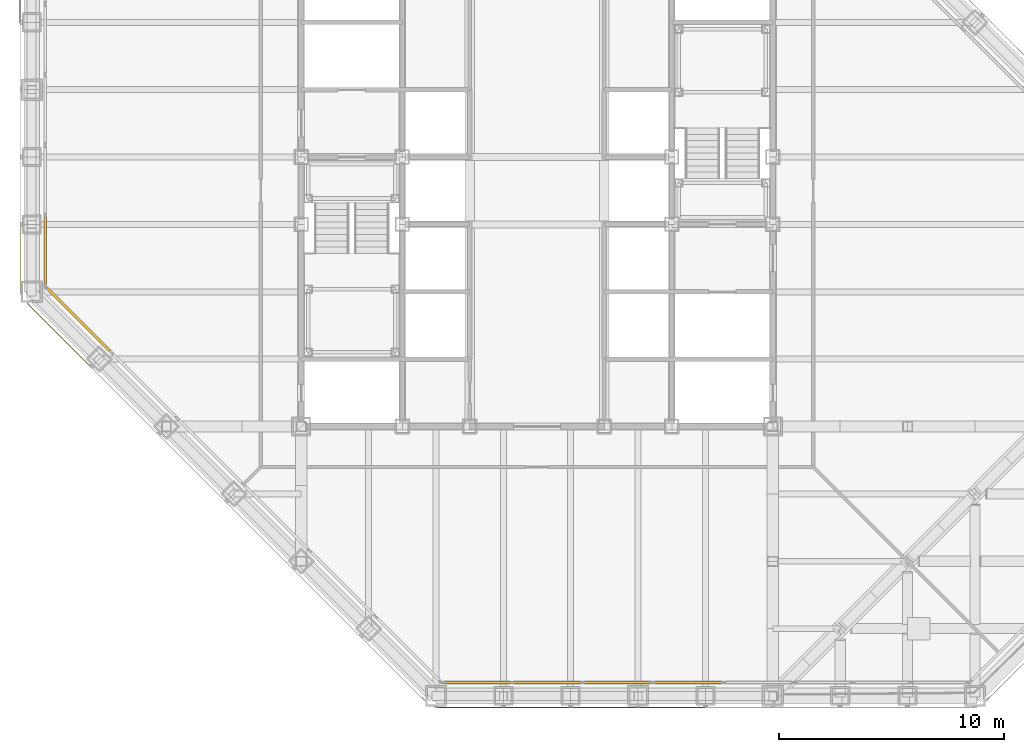
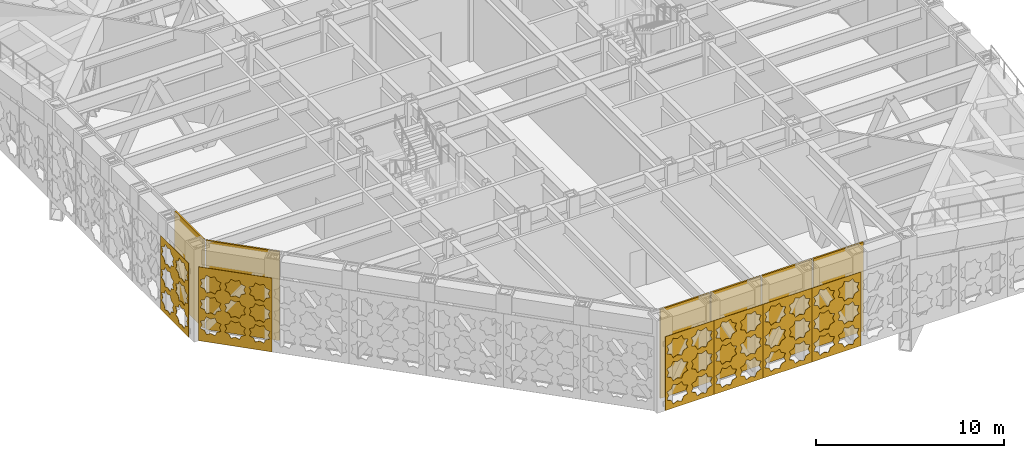
# One storey, part 22 of 28: 6 coverings, 6 shading devices, 3 elements without a shape of their own.
"""IFC4 building model written with IfcOpenShell, lengths in metres."""

from ifc_helpers import new_model, si_unit, direction, frame, origin, origin_2d, place, context, subcontext, project, spatial, polyline, rectangle, outline, extrude, material, layer, layer_set, type_object, element, aggregate, save


model = new_model("IFC4")

# Units and contexts
model_context = context("Model", 3, precision=1e-05, world=origin(), true_north=direction((0.0, 1.0)))
body_context = subcontext(model_context, "Body", "Model", "MODEL_VIEW")
ifc_project = project(units=[si_unit("LENGTHUNIT", "METRE"), si_unit("AREAUNIT", "SQUARE_METRE"), si_unit("VOLUMEUNIT", "CUBIC_METRE"), si_unit("PLANEANGLEUNIT", "RADIAN"), si_unit("MASSUNIT", "GRAM", prefix="KILO")], contexts=[model_context])

# Site, building, storey
site_placement = place(None, origin())
site = spatial("IfcSite", under=ifc_project, at=site_placement, CompositionType="ELEMENT")
building_placement = place(site_placement, origin())
building = spatial("IfcBuilding", under=site, at=building_placement, Name="Chuquiago Exchange Tower", CompositionType="ELEMENT")
storey_placement = place(building_placement, frame((0.0, 0.0, 174.0)))
storey = spatial("IfcBuildingStorey", under=building, at=storey_placement, Name="L38", CompositionType="ELEMENT", Elevation=174.0)

# Curtain wall, shading devices
ifc_material_1 = material(Name="Aluminium curtain wall system", Category="aluminium")
ifc_layer_1 = layer(ifc_material_1, 0.199951171875)
ifc_layer_set_1 = layer_set([ifc_layer_1], Name="CW6 plant floor louvre wall")
curtain_wall_type = type_object("IfcCurtainWallType", Name="CW6 plant floor louvre wall", PredefinedType="NOTDEFINED", material=ifc_layer_set_1)
curtain_wall_1_placement = place(storey_placement, origin())
curtain_wall_1 = element("IfcCurtainWall", 1, at=curtain_wall_1_placement, inside=storey, type_object=curtain_wall_type, Name="CW6 curtain wall L38", PredefinedType="NOTDEFINED")
ifc_material_2 = material(Name="Aluminium louvre", Category="aluminium")
ifc_layer_2 = layer(ifc_material_2, 0.10009765625)
ifc_layer_set_2 = layer_set([ifc_layer_2], Name="CW6-P louvre panel 100")
shading_device_type = type_object("IfcShadingDeviceType", Name="CW6-P louvre panel 100", PredefinedType="USERDEFINED", material=ifc_layer_set_2)
shading_device_1_placement = place(storey_placement, frame((19.837646484375, 0.60009765625, 0.0751953125), z_axis=(0.0, 0.0, 1.0), x_axis=(1.0, 0.0, 0.0)))
shading_device_1 = element("IfcShadingDevice", 2, at=shading_device_1_placement, type_object=shading_device_type, Name="CW6 panel 1.1", ObjectType="LOUVER", PredefinedType="USERDEFINED", context=body_context, shape_type="SweptSolid", body=[
    extrude(rectangle(XDim=3.028564453125, YDim=0.10009765625, at=origin_2d()), origin(), (0.0, 0.0, 1.0), 5.764892578125),
])
shading_device_2_placement = place(storey_placement, frame((22.9599609375, 0.60009765625, 0.0751953125), z_axis=(0.0, 0.0, 1.0), x_axis=(1.0, 0.0, 0.0)))
shading_device_2 = element("IfcShadingDevice", 3, at=shading_device_2_placement, type_object=shading_device_type, Name="CW6 panel 2.1", ObjectType="LOUVER", PredefinedType="USERDEFINED", context=body_context, shape_type="SweptSolid", body=[
    extrude(rectangle(XDim=3.06591796875, YDim=0.10009765625, at=origin_2d()), origin(), (0.0, 0.0, 1.0), 5.764892578125),
])
shading_device_3_placement = place(storey_placement, frame((26.10107421875, 0.60009765625, 0.0751953125), z_axis=(0.0, 0.0, 1.0), x_axis=(1.0, 0.0, 0.0)))
shading_device_3 = element("IfcShadingDevice", 4, at=shading_device_3_placement, type_object=shading_device_type, Name="CW6 panel 3.1", ObjectType="LOUVER", PredefinedType="USERDEFINED", context=body_context, shape_type="SweptSolid", body=[
    extrude(rectangle(XDim=3.06591796875, YDim=0.10009765625, at=origin_2d()), origin(), (0.0, 0.0, 1.0), 5.764892578125),
])
shading_device_4_placement = place(storey_placement, frame((29.241943359375, 0.60009765625, 0.0751953125), z_axis=(0.0, 0.0, 1.0), x_axis=(1.0, 0.0, 0.0)))
shading_device_4 = element("IfcShadingDevice", 5, at=shading_device_4_placement, type_object=shading_device_type, Name="CW6 panel 4.1", ObjectType="LOUVER", PredefinedType="USERDEFINED", context=body_context, shape_type="SweptSolid", body=[
    extrude(rectangle(XDim=3.06591796875, YDim=0.10009765625, at=origin_2d()), origin(), (0.0, 0.0, 1.0), 5.764892578125),
])
aggregate(curtain_wall_1, [shading_device_1, shading_device_2, shading_device_3, shading_device_4])

# Curtain wall, shading device
curtain_wall_2_placement = place(storey_placement, origin())
curtain_wall_2 = element("IfcCurtainWall", 6, at=curtain_wall_2_placement, inside=storey, type_object=curtain_wall_type, Name="CW6 curtain wall L38", PredefinedType="NOTDEFINED")
shading_device_5_placement = place(storey_placement, frame((0.60009765625, 19.837646484375, 0.0751953125), z_axis=(0.0, 0.0, 1.0), x_axis=(0.0, -1.0, 0.0)))
shading_device_5 = element("IfcShadingDevice", 7, at=shading_device_5_placement, type_object=shading_device_type, Name="CW6 panel 5.1", ObjectType="LOUVER", PredefinedType="USERDEFINED", context=body_context, shape_type="SweptSolid", body=[
    extrude(rectangle(XDim=3.028564453125, YDim=0.10009765625, at=origin_2d()), origin(), (0.0, 0.0, 1.0), 5.764892578125),
])
aggregate(curtain_wall_2, [shading_device_5])

curtain_wall_3_placement = place(storey_placement, origin())
curtain_wall_3 = element("IfcCurtainWall", 8, at=curtain_wall_3_placement, inside=storey, type_object=curtain_wall_type, Name="CW6 curtain wall L38", PredefinedType="NOTDEFINED")
shading_device_6_placement = place(storey_placement, frame((2.083984375, 16.7646484375, 0.0751953125), z_axis=(0.0, 0.0, 1.0), x_axis=(0.707106781187, -0.707106781187, 0.0)))
shading_device_6 = element("IfcShadingDevice", 9, at=shading_device_6_placement, type_object=shading_device_type, Name="CW6 panel 1.1", ObjectType="LOUVER", PredefinedType="USERDEFINED", context=body_context, shape_type="SweptSolid", body=[
    extrude(rectangle(XDim=4.04736328125, YDim=0.10009765625, at=origin_2d()), origin(), (0.0, 0.0, 1.0), 5.764892578125),
])
aggregate(curtain_wall_3, [shading_device_6])

# Coverings
ifc_material_3 = material(Name="Anodised aluminium, pale", Category="aluminium")
ifc_layer_3 = layer(ifc_material_3, 0.02001953125)
ifc_layer_set_3 = layer_set([ifc_layer_3], Name="GC1 girih cladding panel 20")
covering_type_1 = type_object("IfcCoveringType", Name="GC1 girih cladding panel 20", PredefinedType="CLADDING", material=ifc_layer_set_3)
covering_1_placement = place(storey_placement, frame((18.0048828125, -0.5, 0.050048828125), z_axis=(0.0, 0.0, 1.0), x_axis=(1.0, 0.0, 0.0)))
element("IfcCovering", 10, at=covering_1_placement, inside=storey, type_object=covering_type_1, Name="Girih cladding panel L38 S 1", PredefinedType="CLADDING", context=body_context, shape_type="SweptSolid", body=[
    extrude(outline(polyline([(0.0, 0.0), (2.989990234375, 0.0), (2.989990234375, 4.7900390625), (0.0, 4.7900390625), (0.0, 0.0)]), holes=[polyline([(1.27392578125, 0.89990234375), (1.3828125, 1.1630859375), (1.11962890625, 1.272216796875), (1.0107421875, 1.535400390625), (0.74755859375, 1.42626953125), (0.484375, 1.535400390625), (0.375244140625, 1.272216796875), (0.112060546875, 1.1630859375), (0.22119140625, 0.89990234375), (0.112060546875, 0.63671875), (0.375244140625, 0.52783203125), (0.484375, 0.2646484375), (0.74755859375, 0.37353515625), (1.0107421875, 0.2646484375), (1.11962890625, 0.52783203125), (1.3828125, 0.63671875), (1.27392578125, 0.89990234375)]), polyline([(2.768798828125, 0.89990234375), (2.8779296875, 1.1630859375), (2.61474609375, 1.272216796875), (2.505615234375, 1.535400390625), (2.242431640625, 1.42626953125), (1.979248046875, 1.535400390625), (1.870361328125, 1.272216796875), (1.607177734375, 1.1630859375), (1.716064453125, 0.89990234375), (1.607177734375, 0.63671875), (1.870361328125, 0.52783203125), (1.979248046875, 0.2646484375), (2.242431640625, 0.37353515625), (2.505615234375, 0.2646484375), (2.61474609375, 0.52783203125), (2.8779296875, 0.63671875), (2.768798828125, 0.89990234375)]), polyline([(1.27392578125, 2.39501953125), (1.3828125, 2.658203125), (1.11962890625, 2.76708984375), (1.0107421875, 3.0302734375), (0.74755859375, 2.92138671875), (0.484375, 3.0302734375), (0.375244140625, 2.76708984375), (0.112060546875, 2.658203125), (0.22119140625, 2.39501953125), (0.112060546875, 2.1318359375), (0.375244140625, 2.022705078125), (0.484375, 1.759521484375), (0.74755859375, 1.86865234375), (1.0107421875, 1.759521484375), (1.11962890625, 2.022705078125), (1.3828125, 2.1318359375), (1.27392578125, 2.39501953125)]), polyline([(2.768798828125, 2.39501953125), (2.8779296875, 2.658203125), (2.61474609375, 2.76708984375), (2.505615234375, 3.0302734375), (2.242431640625, 2.92138671875), (1.979248046875, 3.0302734375), (1.870361328125, 2.76708984375), (1.607177734375, 2.658203125), (1.716064453125, 2.39501953125), (1.607177734375, 2.1318359375), (1.870361328125, 2.022705078125), (1.979248046875, 1.759521484375), (2.242431640625, 1.86865234375), (2.505615234375, 1.759521484375), (2.61474609375, 2.022705078125), (2.8779296875, 2.1318359375), (2.768798828125, 2.39501953125)]), polyline([(1.27392578125, 3.889892578125), (1.3828125, 4.153076171875), (1.11962890625, 4.26220703125), (1.0107421875, 4.525390625), (0.74755859375, 4.416259765625), (0.484375, 4.525390625), (0.375244140625, 4.26220703125), (0.112060546875, 4.153076171875), (0.22119140625, 3.889892578125), (0.112060546875, 3.626708984375), (0.375244140625, 3.517822265625), (0.484375, 3.254638671875), (0.74755859375, 3.363525390625), (1.0107421875, 3.254638671875), (1.11962890625, 3.517822265625), (1.3828125, 3.626708984375), (1.27392578125, 3.889892578125)]), polyline([(2.768798828125, 3.889892578125), (2.8779296875, 4.153076171875), (2.61474609375, 4.26220703125), (2.505615234375, 4.525390625), (2.242431640625, 4.416259765625), (1.979248046875, 4.525390625), (1.870361328125, 4.26220703125), (1.607177734375, 4.153076171875), (1.716064453125, 3.889892578125), (1.607177734375, 3.626708984375), (1.870361328125, 3.517822265625), (1.979248046875, 3.254638671875), (2.242431640625, 3.363525390625), (2.505615234375, 3.254638671875), (2.61474609375, 3.517822265625), (2.8779296875, 3.626708984375), (2.768798828125, 3.889892578125)])]), frame((0.0, 0.0, 0.0), z_axis=(0.0, -1.0, 0.0), x_axis=(1.0, 0.0, 0.0)), (0.0, 0.0, 1.0), 0.02001953125),
])
covering_2_placement = place(storey_placement, frame((21.0048828125, -0.5, 0.050048828125), z_axis=(0.0, 0.0, 1.0), x_axis=(1.0, 0.0, 0.0)))
element("IfcCovering", 11, at=covering_2_placement, inside=storey, type_object=covering_type_1, Name="Girih cladding panel L38 S 2", PredefinedType="CLADDING", context=body_context, shape_type="SweptSolid", body=[
    extrude(outline(polyline([(0.0, 0.0), (2.989990234375, 0.0), (2.989990234375, 4.7900390625), (0.0, 4.7900390625), (0.0, 0.0)]), holes=[polyline([(1.27392578125, 0.89990234375), (1.3828125, 1.1630859375), (1.11962890625, 1.272216796875), (1.0107421875, 1.535400390625), (0.74755859375, 1.42626953125), (0.484375, 1.535400390625), (0.375244140625, 1.272216796875), (0.112060546875, 1.1630859375), (0.22119140625, 0.89990234375), (0.112060546875, 0.63671875), (0.375244140625, 0.52783203125), (0.484375, 0.2646484375), (0.74755859375, 0.37353515625), (1.0107421875, 0.2646484375), (1.11962890625, 0.52783203125), (1.3828125, 0.63671875), (1.27392578125, 0.89990234375)]), polyline([(2.768798828125, 0.89990234375), (2.8779296875, 1.1630859375), (2.61474609375, 1.272216796875), (2.505615234375, 1.535400390625), (2.242431640625, 1.42626953125), (1.979248046875, 1.535400390625), (1.870361328125, 1.272216796875), (1.607177734375, 1.1630859375), (1.716064453125, 0.89990234375), (1.607177734375, 0.63671875), (1.870361328125, 0.52783203125), (1.979248046875, 0.2646484375), (2.242431640625, 0.37353515625), (2.505615234375, 0.2646484375), (2.61474609375, 0.52783203125), (2.8779296875, 0.63671875), (2.768798828125, 0.89990234375)]), polyline([(1.27392578125, 2.39501953125), (1.3828125, 2.658203125), (1.11962890625, 2.76708984375), (1.0107421875, 3.0302734375), (0.74755859375, 2.92138671875), (0.484375, 3.0302734375), (0.375244140625, 2.76708984375), (0.112060546875, 2.658203125), (0.22119140625, 2.39501953125), (0.112060546875, 2.1318359375), (0.375244140625, 2.022705078125), (0.484375, 1.759521484375), (0.74755859375, 1.86865234375), (1.0107421875, 1.759521484375), (1.11962890625, 2.022705078125), (1.3828125, 2.1318359375), (1.27392578125, 2.39501953125)]), polyline([(2.768798828125, 2.39501953125), (2.8779296875, 2.658203125), (2.61474609375, 2.76708984375), (2.505615234375, 3.0302734375), (2.242431640625, 2.92138671875), (1.979248046875, 3.0302734375), (1.870361328125, 2.76708984375), (1.607177734375, 2.658203125), (1.716064453125, 2.39501953125), (1.607177734375, 2.1318359375), (1.870361328125, 2.022705078125), (1.979248046875, 1.759521484375), (2.242431640625, 1.86865234375), (2.505615234375, 1.759521484375), (2.61474609375, 2.022705078125), (2.8779296875, 2.1318359375), (2.768798828125, 2.39501953125)]), polyline([(1.27392578125, 3.889892578125), (1.3828125, 4.153076171875), (1.11962890625, 4.26220703125), (1.0107421875, 4.525390625), (0.74755859375, 4.416259765625), (0.484375, 4.525390625), (0.375244140625, 4.26220703125), (0.112060546875, 4.153076171875), (0.22119140625, 3.889892578125), (0.112060546875, 3.626708984375), (0.375244140625, 3.517822265625), (0.484375, 3.254638671875), (0.74755859375, 3.363525390625), (1.0107421875, 3.254638671875), (1.11962890625, 3.517822265625), (1.3828125, 3.626708984375), (1.27392578125, 3.889892578125)]), polyline([(2.768798828125, 3.889892578125), (2.8779296875, 4.153076171875), (2.61474609375, 4.26220703125), (2.505615234375, 4.525390625), (2.242431640625, 4.416259765625), (1.979248046875, 4.525390625), (1.870361328125, 4.26220703125), (1.607177734375, 4.153076171875), (1.716064453125, 3.889892578125), (1.607177734375, 3.626708984375), (1.870361328125, 3.517822265625), (1.979248046875, 3.254638671875), (2.242431640625, 3.363525390625), (2.505615234375, 3.254638671875), (2.61474609375, 3.517822265625), (2.8779296875, 3.626708984375), (2.768798828125, 3.889892578125)])]), frame((0.0, 0.0, 0.0), z_axis=(0.0, -1.0, 0.0), x_axis=(1.0, 0.0, 0.0)), (0.0, 0.0, 1.0), 0.02001953125),
])
covering_3_placement = place(storey_placement, frame((24.0048828125, -0.5, 0.050048828125), z_axis=(0.0, 0.0, 1.0), x_axis=(1.0, 0.0, 0.0)))
element("IfcCovering", 12, at=covering_3_placement, inside=storey, type_object=covering_type_1, Name="Girih cladding panel L38 S 3", PredefinedType="CLADDING", context=body_context, shape_type="SweptSolid", body=[
    extrude(outline(polyline([(0.0, 0.0), (2.989990234375, 0.0), (2.989990234375, 4.7900390625), (0.0, 4.7900390625), (0.0, 0.0)]), holes=[polyline([(1.27392578125, 0.89990234375), (1.3828125, 1.1630859375), (1.11962890625, 1.272216796875), (1.0107421875, 1.535400390625), (0.74755859375, 1.42626953125), (0.484375, 1.535400390625), (0.375244140625, 1.272216796875), (0.112060546875, 1.1630859375), (0.22119140625, 0.89990234375), (0.112060546875, 0.63671875), (0.375244140625, 0.52783203125), (0.484375, 0.2646484375), (0.74755859375, 0.37353515625), (1.0107421875, 0.2646484375), (1.11962890625, 0.52783203125), (1.3828125, 0.63671875), (1.27392578125, 0.89990234375)]), polyline([(2.768798828125, 0.89990234375), (2.8779296875, 1.1630859375), (2.61474609375, 1.272216796875), (2.505615234375, 1.535400390625), (2.242431640625, 1.42626953125), (1.979248046875, 1.535400390625), (1.870361328125, 1.272216796875), (1.607177734375, 1.1630859375), (1.716064453125, 0.89990234375), (1.607177734375, 0.63671875), (1.870361328125, 0.52783203125), (1.979248046875, 0.2646484375), (2.242431640625, 0.37353515625), (2.505615234375, 0.2646484375), (2.61474609375, 0.52783203125), (2.8779296875, 0.63671875), (2.768798828125, 0.89990234375)]), polyline([(1.27392578125, 2.39501953125), (1.3828125, 2.658203125), (1.11962890625, 2.76708984375), (1.0107421875, 3.0302734375), (0.74755859375, 2.92138671875), (0.484375, 3.0302734375), (0.375244140625, 2.76708984375), (0.112060546875, 2.658203125), (0.22119140625, 2.39501953125), (0.112060546875, 2.1318359375), (0.375244140625, 2.022705078125), (0.484375, 1.759521484375), (0.74755859375, 1.86865234375), (1.0107421875, 1.759521484375), (1.11962890625, 2.022705078125), (1.3828125, 2.1318359375), (1.27392578125, 2.39501953125)]), polyline([(2.768798828125, 2.39501953125), (2.8779296875, 2.658203125), (2.61474609375, 2.76708984375), (2.505615234375, 3.0302734375), (2.242431640625, 2.92138671875), (1.979248046875, 3.0302734375), (1.870361328125, 2.76708984375), (1.607177734375, 2.658203125), (1.716064453125, 2.39501953125), (1.607177734375, 2.1318359375), (1.870361328125, 2.022705078125), (1.979248046875, 1.759521484375), (2.242431640625, 1.86865234375), (2.505615234375, 1.759521484375), (2.61474609375, 2.022705078125), (2.8779296875, 2.1318359375), (2.768798828125, 2.39501953125)]), polyline([(1.27392578125, 3.889892578125), (1.3828125, 4.153076171875), (1.11962890625, 4.26220703125), (1.0107421875, 4.525390625), (0.74755859375, 4.416259765625), (0.484375, 4.525390625), (0.375244140625, 4.26220703125), (0.112060546875, 4.153076171875), (0.22119140625, 3.889892578125), (0.112060546875, 3.626708984375), (0.375244140625, 3.517822265625), (0.484375, 3.254638671875), (0.74755859375, 3.363525390625), (1.0107421875, 3.254638671875), (1.11962890625, 3.517822265625), (1.3828125, 3.626708984375), (1.27392578125, 3.889892578125)]), polyline([(2.768798828125, 3.889892578125), (2.8779296875, 4.153076171875), (2.61474609375, 4.26220703125), (2.505615234375, 4.525390625), (2.242431640625, 4.416259765625), (1.979248046875, 4.525390625), (1.870361328125, 4.26220703125), (1.607177734375, 4.153076171875), (1.716064453125, 3.889892578125), (1.607177734375, 3.626708984375), (1.870361328125, 3.517822265625), (1.979248046875, 3.254638671875), (2.242431640625, 3.363525390625), (2.505615234375, 3.254638671875), (2.61474609375, 3.517822265625), (2.8779296875, 3.626708984375), (2.768798828125, 3.889892578125)])]), frame((0.0, 0.0, 0.0), z_axis=(0.0, -1.0, 0.0), x_axis=(1.0, 0.0, 0.0)), (0.0, 0.0, 1.0), 0.02001953125),
])
covering_4_placement = place(storey_placement, frame((27.0048828125, -0.5, 0.050048828125), z_axis=(0.0, 0.0, 1.0), x_axis=(1.0, 0.0, 0.0)))
element("IfcCovering", 13, at=covering_4_placement, inside=storey, type_object=covering_type_1, Name="Girih cladding panel L38 S 4", PredefinedType="CLADDING", context=body_context, shape_type="SweptSolid", body=[
    extrude(outline(polyline([(0.0, 0.0), (2.989990234375, 0.0), (2.989990234375, 4.7900390625), (0.0, 4.7900390625), (0.0, 0.0)]), holes=[polyline([(1.27392578125, 0.89990234375), (1.3828125, 1.1630859375), (1.11962890625, 1.272216796875), (1.0107421875, 1.535400390625), (0.74755859375, 1.42626953125), (0.484375, 1.535400390625), (0.375244140625, 1.272216796875), (0.112060546875, 1.1630859375), (0.22119140625, 0.89990234375), (0.112060546875, 0.63671875), (0.375244140625, 0.52783203125), (0.484375, 0.2646484375), (0.74755859375, 0.37353515625), (1.0107421875, 0.2646484375), (1.11962890625, 0.52783203125), (1.3828125, 0.63671875), (1.27392578125, 0.89990234375)]), polyline([(2.768798828125, 0.89990234375), (2.8779296875, 1.1630859375), (2.61474609375, 1.272216796875), (2.505615234375, 1.535400390625), (2.242431640625, 1.42626953125), (1.979248046875, 1.535400390625), (1.870361328125, 1.272216796875), (1.607177734375, 1.1630859375), (1.716064453125, 0.89990234375), (1.607177734375, 0.63671875), (1.870361328125, 0.52783203125), (1.979248046875, 0.2646484375), (2.242431640625, 0.37353515625), (2.505615234375, 0.2646484375), (2.61474609375, 0.52783203125), (2.8779296875, 0.63671875), (2.768798828125, 0.89990234375)]), polyline([(1.27392578125, 2.39501953125), (1.3828125, 2.658203125), (1.11962890625, 2.76708984375), (1.0107421875, 3.0302734375), (0.74755859375, 2.92138671875), (0.484375, 3.0302734375), (0.375244140625, 2.76708984375), (0.112060546875, 2.658203125), (0.22119140625, 2.39501953125), (0.112060546875, 2.1318359375), (0.375244140625, 2.022705078125), (0.484375, 1.759521484375), (0.74755859375, 1.86865234375), (1.0107421875, 1.759521484375), (1.11962890625, 2.022705078125), (1.3828125, 2.1318359375), (1.27392578125, 2.39501953125)]), polyline([(2.768798828125, 2.39501953125), (2.8779296875, 2.658203125), (2.61474609375, 2.76708984375), (2.505615234375, 3.0302734375), (2.242431640625, 2.92138671875), (1.979248046875, 3.0302734375), (1.870361328125, 2.76708984375), (1.607177734375, 2.658203125), (1.716064453125, 2.39501953125), (1.607177734375, 2.1318359375), (1.870361328125, 2.022705078125), (1.979248046875, 1.759521484375), (2.242431640625, 1.86865234375), (2.505615234375, 1.759521484375), (2.61474609375, 2.022705078125), (2.8779296875, 2.1318359375), (2.768798828125, 2.39501953125)]), polyline([(1.27392578125, 3.889892578125), (1.3828125, 4.153076171875), (1.11962890625, 4.26220703125), (1.0107421875, 4.525390625), (0.74755859375, 4.416259765625), (0.484375, 4.525390625), (0.375244140625, 4.26220703125), (0.112060546875, 4.153076171875), (0.22119140625, 3.889892578125), (0.112060546875, 3.626708984375), (0.375244140625, 3.517822265625), (0.484375, 3.254638671875), (0.74755859375, 3.363525390625), (1.0107421875, 3.254638671875), (1.11962890625, 3.517822265625), (1.3828125, 3.626708984375), (1.27392578125, 3.889892578125)]), polyline([(2.768798828125, 3.889892578125), (2.8779296875, 4.153076171875), (2.61474609375, 4.26220703125), (2.505615234375, 4.525390625), (2.242431640625, 4.416259765625), (1.979248046875, 4.525390625), (1.870361328125, 4.26220703125), (1.607177734375, 4.153076171875), (1.716064453125, 3.889892578125), (1.607177734375, 3.626708984375), (1.870361328125, 3.517822265625), (1.979248046875, 3.254638671875), (2.242431640625, 3.363525390625), (2.505615234375, 3.254638671875), (2.61474609375, 3.517822265625), (2.8779296875, 3.626708984375), (2.768798828125, 3.889892578125)])]), frame((0.0, 0.0, 0.0), z_axis=(0.0, -1.0, 0.0), x_axis=(1.0, 0.0, 0.0)), (0.0, 0.0, 1.0), 0.02001953125),
])
covering_5_placement = place(storey_placement, frame((-0.5, 20.9951171875, 0.050048828125), z_axis=(0.0, 0.0, 1.0), x_axis=(0.0, -1.0, 0.0)))
element("IfcCovering", 14, at=covering_5_placement, inside=storey, type_object=covering_type_1, Name="Girih cladding panel L38 W 8", PredefinedType="CLADDING", context=body_context, shape_type="SweptSolid", body=[
    extrude(outline(polyline([(0.0, 0.0), (2.989990234375, 0.0), (2.989990234375, 4.7900390625), (0.0, 4.7900390625), (0.0, 0.0)]), holes=[polyline([(1.27392578125, 0.89990234375), (1.3828125, 1.1630859375), (1.11962890625, 1.272216796875), (1.0107421875, 1.535400390625), (0.74755859375, 1.42626953125), (0.484375, 1.535400390625), (0.375244140625, 1.272216796875), (0.112060546875, 1.1630859375), (0.22119140625, 0.89990234375), (0.112060546875, 0.63671875), (0.375244140625, 0.52783203125), (0.484375, 0.2646484375), (0.74755859375, 0.37353515625), (1.0107421875, 0.2646484375), (1.11962890625, 0.52783203125), (1.3828125, 0.63671875), (1.27392578125, 0.89990234375)]), polyline([(2.768798828125, 0.89990234375), (2.8779296875, 1.1630859375), (2.61474609375, 1.272216796875), (2.505615234375, 1.535400390625), (2.242431640625, 1.42626953125), (1.979248046875, 1.535400390625), (1.870361328125, 1.272216796875), (1.607177734375, 1.1630859375), (1.716064453125, 0.89990234375), (1.607177734375, 0.63671875), (1.870361328125, 0.52783203125), (1.979248046875, 0.2646484375), (2.242431640625, 0.37353515625), (2.505615234375, 0.2646484375), (2.61474609375, 0.52783203125), (2.8779296875, 0.63671875), (2.768798828125, 0.89990234375)]), polyline([(1.27392578125, 2.39501953125), (1.3828125, 2.658203125), (1.11962890625, 2.76708984375), (1.0107421875, 3.0302734375), (0.74755859375, 2.92138671875), (0.484375, 3.0302734375), (0.375244140625, 2.76708984375), (0.112060546875, 2.658203125), (0.22119140625, 2.39501953125), (0.112060546875, 2.1318359375), (0.375244140625, 2.022705078125), (0.484375, 1.759521484375), (0.74755859375, 1.86865234375), (1.0107421875, 1.759521484375), (1.11962890625, 2.022705078125), (1.3828125, 2.1318359375), (1.27392578125, 2.39501953125)]), polyline([(2.768798828125, 2.39501953125), (2.8779296875, 2.658203125), (2.61474609375, 2.76708984375), (2.505615234375, 3.0302734375), (2.242431640625, 2.92138671875), (1.979248046875, 3.0302734375), (1.870361328125, 2.76708984375), (1.607177734375, 2.658203125), (1.716064453125, 2.39501953125), (1.607177734375, 2.1318359375), (1.870361328125, 2.022705078125), (1.979248046875, 1.759521484375), (2.242431640625, 1.86865234375), (2.505615234375, 1.759521484375), (2.61474609375, 2.022705078125), (2.8779296875, 2.1318359375), (2.768798828125, 2.39501953125)]), polyline([(1.27392578125, 3.889892578125), (1.3828125, 4.153076171875), (1.11962890625, 4.26220703125), (1.0107421875, 4.525390625), (0.74755859375, 4.416259765625), (0.484375, 4.525390625), (0.375244140625, 4.26220703125), (0.112060546875, 4.153076171875), (0.22119140625, 3.889892578125), (0.112060546875, 3.626708984375), (0.375244140625, 3.517822265625), (0.484375, 3.254638671875), (0.74755859375, 3.363525390625), (1.0107421875, 3.254638671875), (1.11962890625, 3.517822265625), (1.3828125, 3.626708984375), (1.27392578125, 3.889892578125)]), polyline([(2.768798828125, 3.889892578125), (2.8779296875, 4.153076171875), (2.61474609375, 4.26220703125), (2.505615234375, 4.525390625), (2.242431640625, 4.416259765625), (1.979248046875, 4.525390625), (1.870361328125, 4.26220703125), (1.607177734375, 4.153076171875), (1.716064453125, 3.889892578125), (1.607177734375, 3.626708984375), (1.870361328125, 3.517822265625), (1.979248046875, 3.254638671875), (2.242431640625, 3.363525390625), (2.505615234375, 3.254638671875), (2.61474609375, 3.517822265625), (2.8779296875, 3.626708984375), (2.768798828125, 3.889892578125)])]), frame((0.0, 0.0, 0.0), z_axis=(0.0, -1.0, 0.0), x_axis=(1.0, 0.0, 0.0)), (0.0, 0.0, 1.0), 0.02001953125),
])
ifc_material_4 = material(Name="Anodised aluminium, pale", Category="aluminium")
ifc_layer_4 = layer(ifc_material_4, 0.02001953125)
ifc_layer_set_4 = layer_set([ifc_layer_4], Name="GC5 girih cladding panel 20")
covering_type_2 = type_object("IfcCoveringType", Name="GC5 girih cladding panel 20", PredefinedType="CLADDING", material=ifc_layer_set_4)
covering_6_placement = place(storey_placement, frame((-0.20703125, 17.5, 0.050048828125), z_axis=(0.0, 0.0, 1.0), x_axis=(0.707106781187, -0.707106781187, 0.0)))
element("IfcCovering", 15, at=covering_6_placement, inside=storey, type_object=covering_type_2, Name="Girih cladding panel L38 SW 1", PredefinedType="CLADDING", context=body_context, shape_type="SweptSolid", body=[
    extrude(outline(polyline([(0.0, 0.0), (4.030517578125, 0.0), (4.030517578125, 4.7900390625), (0.0, 4.7900390625), (0.0, 0.0)]), holes=[polyline([(1.144775390625, 1.051513671875), (1.24267578125, 1.287841796875), (1.006103515625, 1.385986328125), (0.908203125, 1.62255859375), (0.671630859375, 1.5244140625), (0.435302734375, 1.62255859375), (0.33740234375, 1.385986328125), (0.100830078125, 1.287841796875), (0.19873046875, 1.051513671875), (0.100830078125, 0.81494140625), (0.33740234375, 0.717041015625), (0.435302734375, 0.48046875), (0.671630859375, 0.578369140625), (0.908203125, 0.48046875), (1.006103515625, 0.717041015625), (1.24267578125, 0.81494140625), (1.144775390625, 1.051513671875)]), polyline([(2.48828125, 1.051513671875), (2.586181640625, 1.287841796875), (2.349609375, 1.385986328125), (2.251708984375, 1.62255859375), (2.01513671875, 1.5244140625), (1.77880859375, 1.62255859375), (1.680908203125, 1.385986328125), (1.4443359375, 1.287841796875), (1.542236328125, 1.051513671875), (1.4443359375, 0.81494140625), (1.680908203125, 0.717041015625), (1.77880859375, 0.48046875), (2.01513671875, 0.578369140625), (2.251708984375, 0.48046875), (2.349609375, 0.717041015625), (2.586181640625, 0.81494140625), (2.48828125, 1.051513671875)]), polyline([(3.831787109375, 1.051513671875), (3.9296875, 1.287841796875), (3.693115234375, 1.385986328125), (3.59521484375, 1.62255859375), (3.358642578125, 1.5244140625), (3.122314453125, 1.62255859375), (3.0244140625, 1.385986328125), (2.787841796875, 1.287841796875), (2.8857421875, 1.051513671875), (2.787841796875, 0.81494140625), (3.0244140625, 0.717041015625), (3.122314453125, 0.48046875), (3.358642578125, 0.578369140625), (3.59521484375, 0.48046875), (3.693115234375, 0.717041015625), (3.9296875, 0.81494140625), (3.831787109375, 1.051513671875)]), polyline([(1.144775390625, 2.39501953125), (1.24267578125, 2.63134765625), (1.006103515625, 2.7294921875), (0.908203125, 2.966064453125), (0.671630859375, 2.867919921875), (0.435302734375, 2.966064453125), (0.33740234375, 2.7294921875), (0.100830078125, 2.63134765625), (0.19873046875, 2.39501953125), (0.100830078125, 2.158447265625), (0.33740234375, 2.060546875), (0.435302734375, 1.823974609375), (0.671630859375, 1.921875), (0.908203125, 1.823974609375), (1.006103515625, 2.060546875), (1.24267578125, 2.158447265625), (1.144775390625, 2.39501953125)]), polyline([(2.48828125, 2.39501953125), (2.586181640625, 2.63134765625), (2.349609375, 2.7294921875), (2.251708984375, 2.966064453125), (2.01513671875, 2.867919921875), (1.77880859375, 2.966064453125), (1.680908203125, 2.7294921875), (1.4443359375, 2.63134765625), (1.542236328125, 2.39501953125), (1.4443359375, 2.158447265625), (1.680908203125, 2.060546875), (1.77880859375, 1.823974609375), (2.01513671875, 1.921875), (2.251708984375, 1.823974609375), (2.349609375, 2.060546875), (2.586181640625, 2.158447265625), (2.48828125, 2.39501953125)]), polyline([(3.831787109375, 2.39501953125), (3.9296875, 2.63134765625), (3.693115234375, 2.7294921875), (3.59521484375, 2.966064453125), (3.358642578125, 2.867919921875), (3.122314453125, 2.966064453125), (3.0244140625, 2.7294921875), (2.787841796875, 2.63134765625), (2.8857421875, 2.39501953125), (2.787841796875, 2.158447265625), (3.0244140625, 2.060546875), (3.122314453125, 1.823974609375), (3.358642578125, 1.921875), (3.59521484375, 1.823974609375), (3.693115234375, 2.060546875), (3.9296875, 2.158447265625), (3.831787109375, 2.39501953125)]), polyline([(1.144775390625, 3.738525390625), (1.24267578125, 3.974853515625), (1.006103515625, 4.072998046875), (0.908203125, 4.3095703125), (0.671630859375, 4.21142578125), (0.435302734375, 4.3095703125), (0.33740234375, 4.072998046875), (0.100830078125, 3.974853515625), (0.19873046875, 3.738525390625), (0.100830078125, 3.501953125), (0.33740234375, 3.404052734375), (0.435302734375, 3.16748046875), (0.671630859375, 3.265380859375), (0.908203125, 3.16748046875), (1.006103515625, 3.404052734375), (1.24267578125, 3.501953125), (1.144775390625, 3.738525390625)]), polyline([(2.48828125, 3.738525390625), (2.586181640625, 3.974853515625), (2.349609375, 4.072998046875), (2.251708984375, 4.3095703125), (2.01513671875, 4.21142578125), (1.77880859375, 4.3095703125), (1.680908203125, 4.072998046875), (1.4443359375, 3.974853515625), (1.542236328125, 3.738525390625), (1.4443359375, 3.501953125), (1.680908203125, 3.404052734375), (1.77880859375, 3.16748046875), (2.01513671875, 3.265380859375), (2.251708984375, 3.16748046875), (2.349609375, 3.404052734375), (2.586181640625, 3.501953125), (2.48828125, 3.738525390625)]), polyline([(3.831787109375, 3.738525390625), (3.9296875, 3.974853515625), (3.693115234375, 4.072998046875), (3.59521484375, 4.3095703125), (3.358642578125, 4.21142578125), (3.122314453125, 4.3095703125), (3.0244140625, 4.072998046875), (2.787841796875, 3.974853515625), (2.8857421875, 3.738525390625), (2.787841796875, 3.501953125), (3.0244140625, 3.404052734375), (3.122314453125, 3.16748046875), (3.358642578125, 3.265380859375), (3.59521484375, 3.16748046875), (3.693115234375, 3.404052734375), (3.9296875, 3.501953125), (3.831787109375, 3.738525390625)])]), frame((0.0, 0.0, 0.0), z_axis=(0.0, -1.0, 0.0), x_axis=(1.0, 0.0, 0.0)), (0.0, 0.0, 1.0), 0.02001953125),
])

save(model, "model.ifc")
